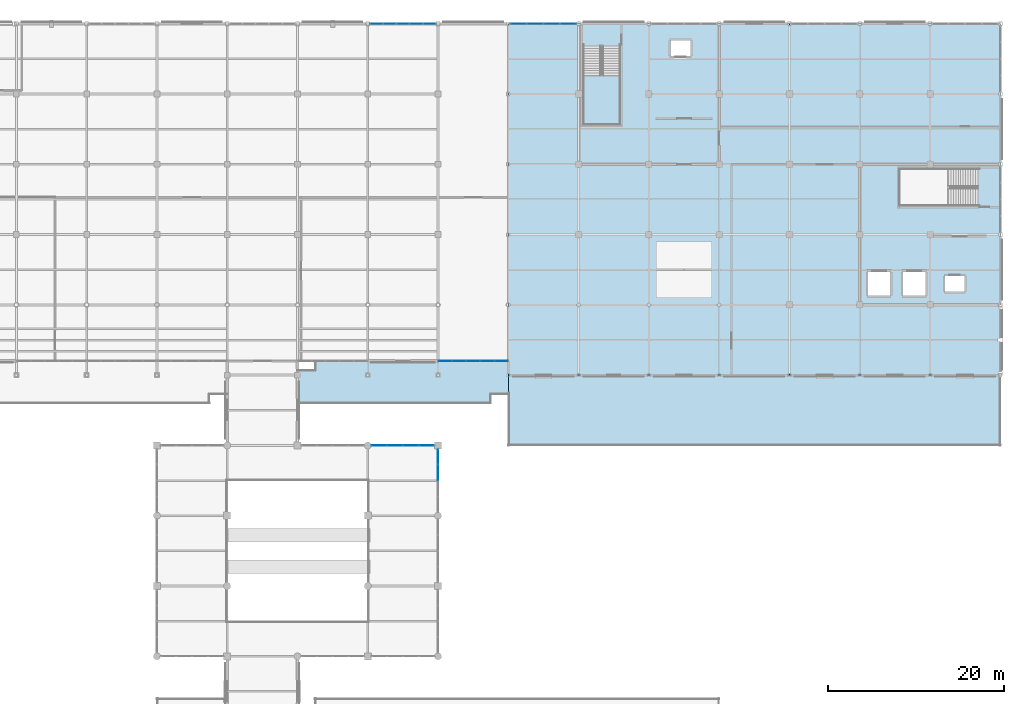
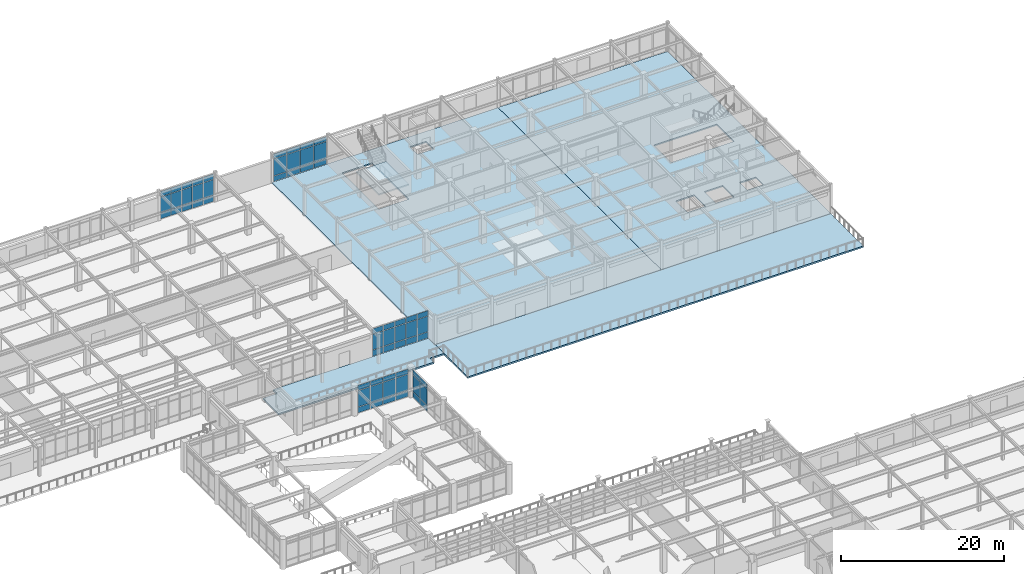
# One storey, part 79 of 111: 60 plates, 5 slabs, 6 elements without a shape of their own.
"""IFC4 building model written with IfcOpenShell, lengths in metres."""

from ifc_helpers import new_model, si_unit, direction, frame, origin, origin_2d, place, context, subcontext, project, spatial, polyline, rectangle, outline, extrude, material, layer, layer_set, type_object, element, aggregate, save


model = new_model("IFC4")

# Units and contexts
model_context = context("Model", 3, precision=1e-05, world=origin(), true_north=direction((0.0, 1.0)))
body_context = subcontext(model_context, "Body", "Model", "MODEL_VIEW")
ifc_project = project(units=[si_unit("LENGTHUNIT", "METRE"), si_unit("AREAUNIT", "SQUARE_METRE"), si_unit("VOLUMEUNIT", "CUBIC_METRE"), si_unit("PLANEANGLEUNIT", "RADIAN"), si_unit("MASSUNIT", "GRAM", prefix="KILO")], contexts=[model_context])

# Site, building, storey
site_placement = place(None, origin())
site = spatial("IfcSite", under=ifc_project, at=site_placement, CompositionType="ELEMENT")
building_placement = place(site_placement, origin())
building = spatial("IfcBuilding", under=site, at=building_placement, Name="Solmirada Galleria", CompositionType="ELEMENT")
storey_placement = place(building_placement, frame((0.0, 0.0, 10.39990234375)))
storey = spatial("IfcBuildingStorey", under=building, at=storey_placement, Name="L02", CompositionType="ELEMENT", Elevation=10.39990234375)

# Curtain wall, plates
ifc_material_1 = material(Name="Impact-resistant low-E double glazing", Category="glass")
curtain_wall_type_1 = type_object("IfcCurtainWallType", Name="CW-FZ3-L02-B4-L072", PredefinedType="NOTDEFINED", material=ifc_material_1)
curtain_wall_1_placement = place(storey_placement, origin())
curtain_wall_1 = element("IfcCurtainWall", 1, at=curtain_wall_1_placement, inside=storey, type_object=curtain_wall_type_1, Name="Terrace and arcade storefront CW-L02-105", PredefinedType="NOTDEFINED")
ifc_layer_1 = layer(ifc_material_1, 0.028076171875)
ifc_layer_set_1 = layer_set([ifc_layer_1], Name="Impact-resistant low-E double glazing")
plate_type_1 = type_object("IfcPlateType", Name="CW-PNL-CW21-T28", PredefinedType="CURTAIN_PANEL", material=ifc_layer_set_1)
plate_1_placement = place(storey_placement, frame((105.31787109375, 72.0, 0.06494140625), z_axis=(0.0, 0.0, 1.0), x_axis=(1.0, 0.0, 0.0)))
plate_1 = element("IfcPlate", 2, at=plate_1_placement, type_object=plate_type_1, Name="CW21 panel 1.1", PredefinedType="CURTAIN_PANEL", context=body_context, shape_type="SweptSolid", body=[
    extrude(rectangle(XDim=1.701416015625, YDim=0.028076171875, at=origin_2d()), origin(), (0.0, 0.0, 1.0), 0.822509765625),
])
plate_2_placement = place(storey_placement, frame((105.31787109375, 72.0, 0.95263671875), z_axis=(0.0, 0.0, 1.0), x_axis=(1.0, 0.0, 0.0)))
plate_2 = element("IfcPlate", 3, at=plate_2_placement, type_object=plate_type_1, Name="CW21 panel 1.2", PredefinedType="CURTAIN_PANEL", context=body_context, shape_type="SweptSolid", body=[
    extrude(rectangle(XDim=1.701416015625, YDim=0.028076171875, at=origin_2d()), origin(), (0.0, 0.0, 1.0), 2.4150390625),
])
plate_3_placement = place(storey_placement, frame((105.31787109375, 72.0, 3.4326171875), z_axis=(0.0, 0.0, 1.0), x_axis=(1.0, 0.0, 0.0)))
plate_3 = element("IfcPlate", 4, at=plate_3_placement, type_object=plate_type_1, Name="CW21 panel 1.3", PredefinedType="CURTAIN_PANEL", context=body_context, shape_type="SweptSolid", body=[
    extrude(rectangle(XDim=1.701416015625, YDim=0.028076171875, at=origin_2d()), origin(), (0.0, 0.0, 1.0), 0.722412109375),
])
plate_4_placement = place(storey_placement, frame((107.1005859375, 72.0, 0.06494140625), z_axis=(0.0, 0.0, 1.0), x_axis=(1.0, 0.0, 0.0)))
plate_4 = element("IfcPlate", 5, at=plate_4_placement, type_object=plate_type_1, Name="CW21 panel 2.1", PredefinedType="CURTAIN_PANEL", context=body_context, shape_type="SweptSolid", body=[
    extrude(rectangle(XDim=1.73388671875, YDim=0.028076171875, at=origin_2d()), origin(), (0.0, 0.0, 1.0), 0.822509765625),
])
plate_5_placement = place(storey_placement, frame((107.1005859375, 72.0, 0.95263671875), z_axis=(0.0, 0.0, 1.0), x_axis=(1.0, 0.0, 0.0)))
plate_5 = element("IfcPlate", 6, at=plate_5_placement, type_object=plate_type_1, Name="CW21 panel 2.2", PredefinedType="CURTAIN_PANEL", context=body_context, shape_type="SweptSolid", body=[
    extrude(rectangle(XDim=1.73388671875, YDim=0.028076171875, at=origin_2d()), origin(), (0.0, 0.0, 1.0), 2.4150390625),
])
plate_6_placement = place(storey_placement, frame((107.1005859375, 72.0, 3.4326171875), z_axis=(0.0, 0.0, 1.0), x_axis=(1.0, 0.0, 0.0)))
plate_6 = element("IfcPlate", 7, at=plate_6_placement, type_object=plate_type_1, Name="CW21 panel 2.3", PredefinedType="CURTAIN_PANEL", context=body_context, shape_type="SweptSolid", body=[
    extrude(rectangle(XDim=1.73388671875, YDim=0.028076171875, at=origin_2d()), origin(), (0.0, 0.0, 1.0), 0.722412109375),
])
plate_7_placement = place(storey_placement, frame((108.8994140625, 72.0, 0.06494140625), z_axis=(0.0, 0.0, 1.0), x_axis=(1.0, 0.0, 0.0)))
plate_7 = element("IfcPlate", 8, at=plate_7_placement, type_object=plate_type_1, Name="CW21 panel 3.1", PredefinedType="CURTAIN_PANEL", context=body_context, shape_type="SweptSolid", body=[
    extrude(rectangle(XDim=1.73388671875, YDim=0.028076171875, at=origin_2d()), origin(), (0.0, 0.0, 1.0), 0.822509765625),
])
plate_8_placement = place(storey_placement, frame((108.8994140625, 72.0, 0.95263671875), z_axis=(0.0, 0.0, 1.0), x_axis=(1.0, 0.0, 0.0)))
plate_8 = element("IfcPlate", 9, at=plate_8_placement, type_object=plate_type_1, Name="CW21 panel 3.2", PredefinedType="CURTAIN_PANEL", context=body_context, shape_type="SweptSolid", body=[
    extrude(rectangle(XDim=1.73388671875, YDim=0.028076171875, at=origin_2d()), origin(), (0.0, 0.0, 1.0), 2.4150390625),
])
plate_9_placement = place(storey_placement, frame((108.8994140625, 72.0, 3.4326171875), z_axis=(0.0, 0.0, 1.0), x_axis=(1.0, 0.0, 0.0)))
plate_9 = element("IfcPlate", 10, at=plate_9_placement, type_object=plate_type_1, Name="CW21 panel 3.3", PredefinedType="CURTAIN_PANEL", context=body_context, shape_type="SweptSolid", body=[
    extrude(rectangle(XDim=1.73388671875, YDim=0.028076171875, at=origin_2d()), origin(), (0.0, 0.0, 1.0), 0.722412109375),
])
plate_10_placement = place(storey_placement, frame((110.68212890625, 72.0, 0.06494140625), z_axis=(0.0, 0.0, 1.0), x_axis=(1.0, 0.0, 0.0)))
plate_10 = element("IfcPlate", 11, at=plate_10_placement, type_object=plate_type_1, Name="CW21 panel 4.1", PredefinedType="CURTAIN_PANEL", context=body_context, shape_type="SweptSolid", body=[
    extrude(rectangle(XDim=1.701416015625, YDim=0.028076171875, at=origin_2d()), origin(), (0.0, 0.0, 1.0), 0.822509765625),
])
plate_11_placement = place(storey_placement, frame((110.68212890625, 72.0, 0.95263671875), z_axis=(0.0, 0.0, 1.0), x_axis=(1.0, 0.0, 0.0)))
plate_11 = element("IfcPlate", 12, at=plate_11_placement, type_object=plate_type_1, Name="CW21 panel 4.2", PredefinedType="CURTAIN_PANEL", context=body_context, shape_type="SweptSolid", body=[
    extrude(rectangle(XDim=1.701416015625, YDim=0.028076171875, at=origin_2d()), origin(), (0.0, 0.0, 1.0), 2.4150390625),
])
plate_12_placement = place(storey_placement, frame((110.68212890625, 72.0, 3.4326171875), z_axis=(0.0, 0.0, 1.0), x_axis=(1.0, 0.0, 0.0)))
plate_12 = element("IfcPlate", 13, at=plate_12_placement, type_object=plate_type_1, Name="CW21 panel 4.3", PredefinedType="CURTAIN_PANEL", context=body_context, shape_type="SweptSolid", body=[
    extrude(rectangle(XDim=1.701416015625, YDim=0.028076171875, at=origin_2d()), origin(), (0.0, 0.0, 1.0), 0.722412109375),
])
aggregate(curtain_wall_1, [plate_1, plate_2, plate_3, plate_4, plate_5, plate_6, plate_7, plate_8, plate_9, plate_10, plate_11, plate_12])

curtain_wall_2_placement = place(storey_placement, origin())
curtain_wall_2 = element("IfcCurtainWall", 14, at=curtain_wall_2_placement, inside=storey, type_object=curtain_wall_type_1, Name="Terrace and arcade storefront CW-L02-106", PredefinedType="NOTDEFINED")
plate_13_placement = place(storey_placement, frame((112.0, 70.68212890625, 0.06494140625), z_axis=(0.0, 0.0, 1.0), x_axis=(0.0, -1.0, 0.0)))
plate_13 = element("IfcPlate", 15, at=plate_13_placement, type_object=plate_type_1, Name="CW21 panel 1.1", PredefinedType="CURTAIN_PANEL", context=body_context, shape_type="SweptSolid", body=[
    extrude(rectangle(XDim=1.701416015625, YDim=0.028076171875, at=origin_2d()), origin(), (0.0, 0.0, 1.0), 0.822509765625),
])
plate_14_placement = place(storey_placement, frame((112.0, 70.68212890625, 0.95263671875), z_axis=(0.0, 0.0, 1.0), x_axis=(0.0, -1.0, 0.0)))
plate_14 = element("IfcPlate", 16, at=plate_14_placement, type_object=plate_type_1, Name="CW21 panel 1.2", PredefinedType="CURTAIN_PANEL", context=body_context, shape_type="SweptSolid", body=[
    extrude(rectangle(XDim=1.701416015625, YDim=0.028076171875, at=origin_2d()), origin(), (0.0, 0.0, 1.0), 2.4150390625),
])
plate_15_placement = place(storey_placement, frame((112.0, 70.68212890625, 3.4326171875), z_axis=(0.0, 0.0, 1.0), x_axis=(0.0, -1.0, 0.0)))
plate_15 = element("IfcPlate", 17, at=plate_15_placement, type_object=plate_type_1, Name="CW21 panel 1.3", PredefinedType="CURTAIN_PANEL", context=body_context, shape_type="SweptSolid", body=[
    extrude(rectangle(XDim=1.701416015625, YDim=0.028076171875, at=origin_2d()), origin(), (0.0, 0.0, 1.0), 0.722412109375),
])
plate_16_placement = place(storey_placement, frame((112.0, 68.8994140625, 0.06494140625), z_axis=(0.0, 0.0, 1.0), x_axis=(0.0, -1.0, 0.0)))
plate_16 = element("IfcPlate", 18, at=plate_16_placement, type_object=plate_type_1, Name="CW21 panel 2.1", PredefinedType="CURTAIN_PANEL", context=body_context, shape_type="SweptSolid", body=[
    extrude(rectangle(XDim=1.73388671875, YDim=0.028076171875, at=origin_2d()), origin(), (0.0, 0.0, 1.0), 0.822509765625),
])
plate_17_placement = place(storey_placement, frame((112.0, 68.8994140625, 0.95263671875), z_axis=(0.0, 0.0, 1.0), x_axis=(0.0, -1.0, 0.0)))
plate_17 = element("IfcPlate", 19, at=plate_17_placement, type_object=plate_type_1, Name="CW21 panel 2.2", PredefinedType="CURTAIN_PANEL", context=body_context, shape_type="SweptSolid", body=[
    extrude(rectangle(XDim=1.73388671875, YDim=0.028076171875, at=origin_2d()), origin(), (0.0, 0.0, 1.0), 2.4150390625),
])
plate_18_placement = place(storey_placement, frame((112.0, 68.8994140625, 3.4326171875), z_axis=(0.0, 0.0, 1.0), x_axis=(0.0, -1.0, 0.0)))
plate_18 = element("IfcPlate", 20, at=plate_18_placement, type_object=plate_type_1, Name="CW21 panel 2.3", PredefinedType="CURTAIN_PANEL", context=body_context, shape_type="SweptSolid", body=[
    extrude(rectangle(XDim=1.73388671875, YDim=0.028076171875, at=origin_2d()), origin(), (0.0, 0.0, 1.0), 0.722412109375),
])
aggregate(curtain_wall_2, [plate_13, plate_14, plate_15, plate_16, plate_17, plate_18])

curtain_wall_type_2 = type_object("IfcCurtainWallType", Name="CW-FZ4-L02-B5-L080", PredefinedType="NOTDEFINED", material=ifc_material_1)
curtain_wall_3_placement = place(storey_placement, origin())
curtain_wall_3 = element("IfcCurtainWall", 21, at=curtain_wall_3_placement, inside=storey, type_object=curtain_wall_type_2, Name="Terrace and arcade storefront CW-L02-102", PredefinedType="NOTDEFINED")
ifc_material_2 = material(Name="Ceramic-fritted spandrel glass", Category="glass")
ifc_layer_2 = layer(ifc_material_2, 0.035888671875)
ifc_layer_set_2 = layer_set([ifc_layer_2], Name="Ceramic-fritted spandrel glass")
plate_type_2 = type_object("IfcPlateType", Name="CW-PNL-CW22-T36", PredefinedType="CURTAIN_PANEL", material=ifc_layer_set_2)
plate_19_placement = place(storey_placement, frame((119.183837890625, 81.60009765625, 0.06494140625), z_axis=(0.0, 0.0, 1.0), x_axis=(-1.0, 0.0, 0.0)))
plate_19 = element("IfcPlate", 22, at=plate_19_placement, type_object=plate_type_2, Name="CW22 panel 1.1", PredefinedType="CURTAIN_PANEL", context=body_context, shape_type="SweptSolid", body=[
    extrude(rectangle(XDim=1.50244140625, YDim=0.035888671875, at=origin_2d()), origin(), (0.0, 0.0, 1.0), 0.882568359375),
])
plate_20_placement = place(storey_placement, frame((119.183837890625, 81.60009765625, 1.0126953125), z_axis=(0.0, 0.0, 1.0), x_axis=(-1.0, 0.0, 0.0)))
plate_20 = element("IfcPlate", 23, at=plate_20_placement, type_object=plate_type_2, Name="CW22 panel 1.2", PredefinedType="CURTAIN_PANEL", context=body_context, shape_type="SweptSolid", body=[
    extrude(rectangle(XDim=1.50244140625, YDim=0.035888671875, at=origin_2d()), origin(), (0.0, 0.0, 1.0), 2.304931640625),
])
plate_21_placement = place(storey_placement, frame((119.183837890625, 81.60009765625, 3.382568359375), z_axis=(0.0, 0.0, 1.0), x_axis=(-1.0, 0.0, 0.0)))
plate_21 = element("IfcPlate", 24, at=plate_21_placement, type_object=plate_type_2, Name="CW22 panel 1.3", PredefinedType="CURTAIN_PANEL", context=body_context, shape_type="SweptSolid", body=[
    extrude(rectangle(XDim=1.50244140625, YDim=0.035888671875, at=origin_2d()), origin(), (0.0, 0.0, 1.0), 0.7724609375),
])
plate_22_placement = place(storey_placement, frame((117.60009765625, 81.60009765625, 0.06494140625), z_axis=(0.0, 0.0, 1.0), x_axis=(-1.0, 0.0, 0.0)))
plate_22 = element("IfcPlate", 25, at=plate_22_placement, type_object=plate_type_2, Name="CW22 panel 2.1", PredefinedType="CURTAIN_PANEL", context=body_context, shape_type="SweptSolid", body=[
    extrude(rectangle(XDim=1.534912109375, YDim=0.035888671875, at=origin_2d()), origin(), (0.0, 0.0, 1.0), 0.882568359375),
])
plate_23_placement = place(storey_placement, frame((117.60009765625, 81.60009765625, 1.0126953125), z_axis=(0.0, 0.0, 1.0), x_axis=(-1.0, 0.0, 0.0)))
plate_23 = element("IfcPlate", 26, at=plate_23_placement, type_object=plate_type_2, Name="CW22 panel 2.2", PredefinedType="CURTAIN_PANEL", context=body_context, shape_type="SweptSolid", body=[
    extrude(rectangle(XDim=1.534912109375, YDim=0.035888671875, at=origin_2d()), origin(), (0.0, 0.0, 1.0), 2.304931640625),
])
plate_24_placement = place(storey_placement, frame((117.60009765625, 81.60009765625, 3.382568359375), z_axis=(0.0, 0.0, 1.0), x_axis=(-1.0, 0.0, 0.0)))
plate_24 = element("IfcPlate", 27, at=plate_24_placement, type_object=plate_type_2, Name="CW22 panel 2.3", PredefinedType="CURTAIN_PANEL", context=body_context, shape_type="SweptSolid", body=[
    extrude(rectangle(XDim=1.534912109375, YDim=0.035888671875, at=origin_2d()), origin(), (0.0, 0.0, 1.0), 0.7724609375),
])
plate_25_placement = place(storey_placement, frame((116.0, 81.60009765625, 0.06494140625), z_axis=(0.0, 0.0, 1.0), x_axis=(-1.0, 0.0, 0.0)))
plate_25 = element("IfcPlate", 28, at=plate_25_placement, type_object=plate_type_2, Name="CW22 panel 3.1", PredefinedType="CURTAIN_PANEL", context=body_context, shape_type="SweptSolid", body=[
    extrude(rectangle(XDim=1.534912109375, YDim=0.035888671875, at=origin_2d()), origin(), (0.0, 0.0, 1.0), 0.882568359375),
])
plate_26_placement = place(storey_placement, frame((116.0, 81.60009765625, 1.0126953125), z_axis=(0.0, 0.0, 1.0), x_axis=(-1.0, 0.0, 0.0)))
plate_26 = element("IfcPlate", 29, at=plate_26_placement, type_object=plate_type_2, Name="CW22 panel 3.2", PredefinedType="CURTAIN_PANEL", context=body_context, shape_type="SweptSolid", body=[
    extrude(rectangle(XDim=1.534912109375, YDim=0.035888671875, at=origin_2d()), origin(), (0.0, 0.0, 1.0), 2.304931640625),
])
plate_27_placement = place(storey_placement, frame((116.0, 81.60009765625, 3.382568359375), z_axis=(0.0, 0.0, 1.0), x_axis=(-1.0, 0.0, 0.0)))
plate_27 = element("IfcPlate", 30, at=plate_27_placement, type_object=plate_type_2, Name="CW22 panel 3.3", PredefinedType="CURTAIN_PANEL", context=body_context, shape_type="SweptSolid", body=[
    extrude(rectangle(XDim=1.534912109375, YDim=0.035888671875, at=origin_2d()), origin(), (0.0, 0.0, 1.0), 0.7724609375),
])
plate_28_placement = place(storey_placement, frame((114.39990234375, 81.60009765625, 0.06494140625), z_axis=(0.0, 0.0, 1.0), x_axis=(-1.0, 0.0, 0.0)))
plate_28 = element("IfcPlate", 31, at=plate_28_placement, type_object=plate_type_2, Name="CW22 panel 4.1", PredefinedType="CURTAIN_PANEL", context=body_context, shape_type="SweptSolid", body=[
    extrude(rectangle(XDim=1.534912109375, YDim=0.035888671875, at=origin_2d()), origin(), (0.0, 0.0, 1.0), 0.882568359375),
])
plate_29_placement = place(storey_placement, frame((114.39990234375, 81.60009765625, 1.0126953125), z_axis=(0.0, 0.0, 1.0), x_axis=(-1.0, 0.0, 0.0)))
plate_29 = element("IfcPlate", 32, at=plate_29_placement, type_object=plate_type_2, Name="CW22 panel 4.2", PredefinedType="CURTAIN_PANEL", context=body_context, shape_type="SweptSolid", body=[
    extrude(rectangle(XDim=1.534912109375, YDim=0.035888671875, at=origin_2d()), origin(), (0.0, 0.0, 1.0), 2.304931640625),
])
plate_30_placement = place(storey_placement, frame((114.39990234375, 81.60009765625, 3.382568359375), z_axis=(0.0, 0.0, 1.0), x_axis=(-1.0, 0.0, 0.0)))
plate_30 = element("IfcPlate", 33, at=plate_30_placement, type_object=plate_type_2, Name="CW22 panel 4.3", PredefinedType="CURTAIN_PANEL", context=body_context, shape_type="SweptSolid", body=[
    extrude(rectangle(XDim=1.534912109375, YDim=0.035888671875, at=origin_2d()), origin(), (0.0, 0.0, 1.0), 0.7724609375),
])
plate_31_placement = place(storey_placement, frame((112.816162109375, 81.60009765625, 0.06494140625), z_axis=(0.0, 0.0, 1.0), x_axis=(-1.0, 0.0, 0.0)))
plate_31 = element("IfcPlate", 34, at=plate_31_placement, type_object=plate_type_2, Name="CW22 panel 5.1", PredefinedType="CURTAIN_PANEL", context=body_context, shape_type="SweptSolid", body=[
    extrude(rectangle(XDim=1.50244140625, YDim=0.035888671875, at=origin_2d()), origin(), (0.0, 0.0, 1.0), 0.882568359375),
])
plate_32_placement = place(storey_placement, frame((112.816162109375, 81.60009765625, 1.0126953125), z_axis=(0.0, 0.0, 1.0), x_axis=(-1.0, 0.0, 0.0)))
plate_32 = element("IfcPlate", 35, at=plate_32_placement, type_object=plate_type_2, Name="CW22 panel 5.2", PredefinedType="CURTAIN_PANEL", context=body_context, shape_type="SweptSolid", body=[
    extrude(rectangle(XDim=1.50244140625, YDim=0.035888671875, at=origin_2d()), origin(), (0.0, 0.0, 1.0), 2.304931640625),
])
plate_33_placement = place(storey_placement, frame((112.816162109375, 81.60009765625, 3.382568359375), z_axis=(0.0, 0.0, 1.0), x_axis=(-1.0, 0.0, 0.0)))
plate_33 = element("IfcPlate", 36, at=plate_33_placement, type_object=plate_type_2, Name="CW22 panel 5.3", PredefinedType="CURTAIN_PANEL", context=body_context, shape_type="SweptSolid", body=[
    extrude(rectangle(XDim=1.50244140625, YDim=0.035888671875, at=origin_2d()), origin(), (0.0, 0.0, 1.0), 0.7724609375),
])
aggregate(curtain_wall_3, [plate_19, plate_20, plate_21, plate_22, plate_23, plate_24, plate_25, plate_26, plate_27, plate_28, plate_29, plate_30, plate_31, plate_32, plate_33])

curtain_wall_type_3 = type_object("IfcCurtainWallType", Name="CW-FZ4-L02-B5-L076", PredefinedType="NOTDEFINED", material=ifc_material_1)
curtain_wall_4_placement = place(storey_placement, origin())
curtain_wall_4 = element("IfcCurtainWall", 37, at=curtain_wall_4_placement, inside=storey, type_object=curtain_wall_type_3, Name="Terrace and arcade storefront CW-L02-095", PredefinedType="NOTDEFINED")
ifc_layer_3 = layer(ifc_material_2, 0.0419921875)
ifc_layer_set_3 = layer_set([ifc_layer_3], Name="Ceramic-fritted spandrel glass")
plate_type_3 = type_object("IfcPlateType", Name="CW-PNL-CW23-T42", PredefinedType="CURTAIN_PANEL", material=ifc_layer_set_3)
plate_34_placement = place(storey_placement, frame((104.980224609375, 120.0, 0.06494140625), z_axis=(0.0, 0.0, 1.0), x_axis=(1.0, 0.0, 0.0)))
plate_34 = element("IfcPlate", 38, at=plate_34_placement, type_object=plate_type_3, Name="CW23 panel 1.1", PredefinedType="CURTAIN_PANEL", context=body_context, shape_type="SweptSolid", body=[
    extrude(rectangle(XDim=1.42041015625, YDim=0.0419921875, at=origin_2d()), origin(), (0.0, 0.0, 1.0), 0.882568359375),
])
plate_35_placement = place(storey_placement, frame((104.980224609375, 120.0, 1.0126953125), z_axis=(0.0, 0.0, 1.0), x_axis=(1.0, 0.0, 0.0)))
plate_35 = element("IfcPlate", 39, at=plate_35_placement, type_object=plate_type_3, Name="CW23 panel 1.2", PredefinedType="CURTAIN_PANEL", context=body_context, shape_type="SweptSolid", body=[
    extrude(rectangle(XDim=1.42041015625, YDim=0.0419921875, at=origin_2d()), origin(), (0.0, 0.0, 1.0), 2.304931640625),
])
plate_36_placement = place(storey_placement, frame((104.980224609375, 120.0, 3.382568359375), z_axis=(0.0, 0.0, 1.0), x_axis=(1.0, 0.0, 0.0)))
plate_36 = element("IfcPlate", 40, at=plate_36_placement, type_object=plate_type_3, Name="CW23 panel 1.3", PredefinedType="CURTAIN_PANEL", context=body_context, shape_type="SweptSolid", body=[
    extrude(rectangle(XDim=1.42041015625, YDim=0.0419921875, at=origin_2d()), origin(), (0.0, 0.0, 1.0), 0.7724609375),
])
plate_37_placement = place(storey_placement, frame((106.48193359375, 120.0, 0.06494140625), z_axis=(0.0, 0.0, 1.0), x_axis=(1.0, 0.0, 0.0)))
plate_37 = element("IfcPlate", 41, at=plate_37_placement, type_object=plate_type_3, Name="CW23 panel 2.1", PredefinedType="CURTAIN_PANEL", context=body_context, shape_type="SweptSolid", body=[
    extrude(rectangle(XDim=1.452880859375, YDim=0.0419921875, at=origin_2d()), origin(), (0.0, 0.0, 1.0), 0.882568359375),
])
plate_38_placement = place(storey_placement, frame((106.48193359375, 120.0, 1.0126953125), z_axis=(0.0, 0.0, 1.0), x_axis=(1.0, 0.0, 0.0)))
plate_38 = element("IfcPlate", 42, at=plate_38_placement, type_object=plate_type_3, Name="CW23 panel 2.2", PredefinedType="CURTAIN_PANEL", context=body_context, shape_type="SweptSolid", body=[
    extrude(rectangle(XDim=1.452880859375, YDim=0.0419921875, at=origin_2d()), origin(), (0.0, 0.0, 1.0), 2.304931640625),
])
plate_39_placement = place(storey_placement, frame((106.48193359375, 120.0, 3.382568359375), z_axis=(0.0, 0.0, 1.0), x_axis=(1.0, 0.0, 0.0)))
plate_39 = element("IfcPlate", 43, at=plate_39_placement, type_object=plate_type_3, Name="CW23 panel 2.3", PredefinedType="CURTAIN_PANEL", context=body_context, shape_type="SweptSolid", body=[
    extrude(rectangle(XDim=1.452880859375, YDim=0.0419921875, at=origin_2d()), origin(), (0.0, 0.0, 1.0), 0.7724609375),
])
plate_40_placement = place(storey_placement, frame((108.0, 120.0, 0.06494140625), z_axis=(0.0, 0.0, 1.0), x_axis=(1.0, 0.0, 0.0)))
plate_40 = element("IfcPlate", 44, at=plate_40_placement, type_object=plate_type_3, Name="CW23 panel 3.1", PredefinedType="CURTAIN_PANEL", context=body_context, shape_type="SweptSolid", body=[
    extrude(rectangle(XDim=1.452880859375, YDim=0.0419921875, at=origin_2d()), origin(), (0.0, 0.0, 1.0), 0.882568359375),
])
plate_41_placement = place(storey_placement, frame((108.0, 120.0, 1.0126953125), z_axis=(0.0, 0.0, 1.0), x_axis=(1.0, 0.0, 0.0)))
plate_41 = element("IfcPlate", 45, at=plate_41_placement, type_object=plate_type_3, Name="CW23 panel 3.2", PredefinedType="CURTAIN_PANEL", context=body_context, shape_type="SweptSolid", body=[
    extrude(rectangle(XDim=1.452880859375, YDim=0.0419921875, at=origin_2d()), origin(), (0.0, 0.0, 1.0), 2.304931640625),
])
plate_42_placement = place(storey_placement, frame((108.0, 120.0, 3.382568359375), z_axis=(0.0, 0.0, 1.0), x_axis=(1.0, 0.0, 0.0)))
plate_42 = element("IfcPlate", 46, at=plate_42_placement, type_object=plate_type_3, Name="CW23 panel 3.3", PredefinedType="CURTAIN_PANEL", context=body_context, shape_type="SweptSolid", body=[
    extrude(rectangle(XDim=1.452880859375, YDim=0.0419921875, at=origin_2d()), origin(), (0.0, 0.0, 1.0), 0.7724609375),
])
plate_43_placement = place(storey_placement, frame((109.51806640625, 120.0, 0.06494140625), z_axis=(0.0, 0.0, 1.0), x_axis=(1.0, 0.0, 0.0)))
plate_43 = element("IfcPlate", 47, at=plate_43_placement, type_object=plate_type_3, Name="CW23 panel 4.1", PredefinedType="CURTAIN_PANEL", context=body_context, shape_type="SweptSolid", body=[
    extrude(rectangle(XDim=1.452880859375, YDim=0.0419921875, at=origin_2d()), origin(), (0.0, 0.0, 1.0), 0.882568359375),
])
plate_44_placement = place(storey_placement, frame((109.51806640625, 120.0, 1.0126953125), z_axis=(0.0, 0.0, 1.0), x_axis=(1.0, 0.0, 0.0)))
plate_44 = element("IfcPlate", 48, at=plate_44_placement, type_object=plate_type_3, Name="CW23 panel 4.2", PredefinedType="CURTAIN_PANEL", context=body_context, shape_type="SweptSolid", body=[
    extrude(rectangle(XDim=1.452880859375, YDim=0.0419921875, at=origin_2d()), origin(), (0.0, 0.0, 1.0), 2.304931640625),
])
plate_45_placement = place(storey_placement, frame((109.51806640625, 120.0, 3.382568359375), z_axis=(0.0, 0.0, 1.0), x_axis=(1.0, 0.0, 0.0)))
plate_45 = element("IfcPlate", 49, at=plate_45_placement, type_object=plate_type_3, Name="CW23 panel 4.3", PredefinedType="CURTAIN_PANEL", context=body_context, shape_type="SweptSolid", body=[
    extrude(rectangle(XDim=1.452880859375, YDim=0.0419921875, at=origin_2d()), origin(), (0.0, 0.0, 1.0), 0.7724609375),
])
plate_46_placement = place(storey_placement, frame((111.019775390625, 120.0, 0.06494140625), z_axis=(0.0, 0.0, 1.0), x_axis=(1.0, 0.0, 0.0)))
plate_46 = element("IfcPlate", 50, at=plate_46_placement, type_object=plate_type_3, Name="CW23 panel 5.1", PredefinedType="CURTAIN_PANEL", context=body_context, shape_type="SweptSolid", body=[
    extrude(rectangle(XDim=1.42041015625, YDim=0.0419921875, at=origin_2d()), origin(), (0.0, 0.0, 1.0), 0.882568359375),
])
plate_47_placement = place(storey_placement, frame((111.019775390625, 120.0, 1.0126953125), z_axis=(0.0, 0.0, 1.0), x_axis=(1.0, 0.0, 0.0)))
plate_47 = element("IfcPlate", 51, at=plate_47_placement, type_object=plate_type_3, Name="CW23 panel 5.2", PredefinedType="CURTAIN_PANEL", context=body_context, shape_type="SweptSolid", body=[
    extrude(rectangle(XDim=1.42041015625, YDim=0.0419921875, at=origin_2d()), origin(), (0.0, 0.0, 1.0), 2.304931640625),
])
plate_48_placement = place(storey_placement, frame((111.019775390625, 120.0, 3.382568359375), z_axis=(0.0, 0.0, 1.0), x_axis=(1.0, 0.0, 0.0)))
plate_48 = element("IfcPlate", 52, at=plate_48_placement, type_object=plate_type_3, Name="CW23 panel 5.3", PredefinedType="CURTAIN_PANEL", context=body_context, shape_type="SweptSolid", body=[
    extrude(rectangle(XDim=1.42041015625, YDim=0.0419921875, at=origin_2d()), origin(), (0.0, 0.0, 1.0), 0.7724609375),
])
aggregate(curtain_wall_4, [plate_34, plate_35, plate_36, plate_37, plate_38, plate_39, plate_40, plate_41, plate_42, plate_43, plate_44, plate_45, plate_46, plate_47, plate_48])

curtain_wall_type_4 = type_object("IfcCurtainWallType", Name="CW-FZ2-L02-B4-L076", PredefinedType="NOTDEFINED", material=ifc_material_1)
curtain_wall_5_placement = place(storey_placement, origin())
curtain_wall_5 = element("IfcCurtainWall", 53, at=curtain_wall_5_placement, inside=storey, type_object=curtain_wall_type_4, Name="Terrace and arcade storefront CW-L02-096", PredefinedType="NOTDEFINED")
ifc_layer_4 = layer(ifc_material_1, 0.0419921875)
ifc_layer_set_4 = layer_set([ifc_layer_4], Name="Impact-resistant low-E double glazing")
plate_type_4 = type_object("IfcPlateType", Name="CW-PNL-CW24-T42", PredefinedType="CURTAIN_PANEL", material=ifc_layer_set_4)
plate_49_placement = place(storey_placement, frame((121.148193359375, 120.0, 0.06494140625), z_axis=(0.0, 0.0, 1.0), x_axis=(1.0, 0.0, 0.0)))
plate_49 = element("IfcPlate", 54, at=plate_49_placement, type_object=plate_type_4, Name="CW24 panel 1.1", PredefinedType="CURTAIN_PANEL", context=body_context, shape_type="SweptSolid", body=[
    extrude(rectangle(XDim=1.80615234375, YDim=0.0419921875, at=origin_2d()), origin(), (0.0, 0.0, 1.0), 0.762451171875),
])
plate_50_placement = place(storey_placement, frame((121.148193359375, 120.0, 0.892578125), z_axis=(0.0, 0.0, 1.0), x_axis=(1.0, 0.0, 0.0)))
plate_50 = element("IfcPlate", 55, at=plate_50_placement, type_object=plate_type_4, Name="CW24 panel 1.2", PredefinedType="CURTAIN_PANEL", context=body_context, shape_type="SweptSolid", body=[
    extrude(rectangle(XDim=1.80615234375, YDim=0.0419921875, at=origin_2d()), origin(), (0.0, 0.0, 1.0), 2.52490234375),
])
plate_51_placement = place(storey_placement, frame((121.148193359375, 120.0, 3.482421875), z_axis=(0.0, 0.0, 1.0), x_axis=(1.0, 0.0, 0.0)))
plate_51 = element("IfcPlate", 56, at=plate_51_placement, type_object=plate_type_4, Name="CW24 panel 1.3", PredefinedType="CURTAIN_PANEL", context=body_context, shape_type="SweptSolid", body=[
    extrude(rectangle(XDim=1.80615234375, YDim=0.0419921875, at=origin_2d()), origin(), (0.0, 0.0, 1.0), 0.672607421875),
])
plate_52_placement = place(storey_placement, frame((123.03564453125, 120.0, 0.06494140625), z_axis=(0.0, 0.0, 1.0), x_axis=(1.0, 0.0, 0.0)))
plate_52 = element("IfcPlate", 57, at=plate_52_placement, type_object=plate_type_4, Name="CW24 panel 2.1", PredefinedType="CURTAIN_PANEL", context=body_context, shape_type="SweptSolid", body=[
    extrude(rectangle(XDim=1.8388671875, YDim=0.0419921875, at=origin_2d()), origin(), (0.0, 0.0, 1.0), 0.762451171875),
])
plate_53_placement = place(storey_placement, frame((123.03564453125, 120.0, 0.892578125), z_axis=(0.0, 0.0, 1.0), x_axis=(1.0, 0.0, 0.0)))
plate_53 = element("IfcPlate", 58, at=plate_53_placement, type_object=plate_type_4, Name="CW24 panel 2.2", PredefinedType="CURTAIN_PANEL", context=body_context, shape_type="SweptSolid", body=[
    extrude(rectangle(XDim=1.8388671875, YDim=0.0419921875, at=origin_2d()), origin(), (0.0, 0.0, 1.0), 2.52490234375),
])
plate_54_placement = place(storey_placement, frame((123.03564453125, 120.0, 3.482421875), z_axis=(0.0, 0.0, 1.0), x_axis=(1.0, 0.0, 0.0)))
plate_54 = element("IfcPlate", 59, at=plate_54_placement, type_object=plate_type_4, Name="CW24 panel 2.3", PredefinedType="CURTAIN_PANEL", context=body_context, shape_type="SweptSolid", body=[
    extrude(rectangle(XDim=1.8388671875, YDim=0.0419921875, at=origin_2d()), origin(), (0.0, 0.0, 1.0), 0.672607421875),
])
plate_55_placement = place(storey_placement, frame((124.939453125, 120.0, 0.06494140625), z_axis=(0.0, 0.0, 1.0), x_axis=(1.0, 0.0, 0.0)))
plate_55 = element("IfcPlate", 60, at=plate_55_placement, type_object=plate_type_4, Name="CW24 panel 3.1", PredefinedType="CURTAIN_PANEL", context=body_context, shape_type="SweptSolid", body=[
    extrude(rectangle(XDim=1.8388671875, YDim=0.0419921875, at=origin_2d()), origin(), (0.0, 0.0, 1.0), 0.762451171875),
])
plate_56_placement = place(storey_placement, frame((124.939453125, 120.0, 0.892578125), z_axis=(0.0, 0.0, 1.0), x_axis=(1.0, 0.0, 0.0)))
plate_56 = element("IfcPlate", 61, at=plate_56_placement, type_object=plate_type_4, Name="CW24 panel 3.2", PredefinedType="CURTAIN_PANEL", context=body_context, shape_type="SweptSolid", body=[
    extrude(rectangle(XDim=1.8388671875, YDim=0.0419921875, at=origin_2d()), origin(), (0.0, 0.0, 1.0), 2.52490234375),
])
plate_57_placement = place(storey_placement, frame((124.939453125, 120.0, 3.482421875), z_axis=(0.0, 0.0, 1.0), x_axis=(1.0, 0.0, 0.0)))
plate_57 = element("IfcPlate", 62, at=plate_57_placement, type_object=plate_type_4, Name="CW24 panel 3.3", PredefinedType="CURTAIN_PANEL", context=body_context, shape_type="SweptSolid", body=[
    extrude(rectangle(XDim=1.8388671875, YDim=0.0419921875, at=origin_2d()), origin(), (0.0, 0.0, 1.0), 0.672607421875),
])
plate_58_placement = place(storey_placement, frame((126.826904296875, 120.0, 0.06494140625), z_axis=(0.0, 0.0, 1.0), x_axis=(1.0, 0.0, 0.0)))
plate_58 = element("IfcPlate", 63, at=plate_58_placement, type_object=plate_type_4, Name="CW24 panel 4.1", PredefinedType="CURTAIN_PANEL", context=body_context, shape_type="SweptSolid", body=[
    extrude(rectangle(XDim=1.80615234375, YDim=0.0419921875, at=origin_2d()), origin(), (0.0, 0.0, 1.0), 0.762451171875),
])
plate_59_placement = place(storey_placement, frame((126.826904296875, 120.0, 0.892578125), z_axis=(0.0, 0.0, 1.0), x_axis=(1.0, 0.0, 0.0)))
plate_59 = element("IfcPlate", 64, at=plate_59_placement, type_object=plate_type_4, Name="CW24 panel 4.2", PredefinedType="CURTAIN_PANEL", context=body_context, shape_type="SweptSolid", body=[
    extrude(rectangle(XDim=1.80615234375, YDim=0.0419921875, at=origin_2d()), origin(), (0.0, 0.0, 1.0), 2.52490234375),
])
plate_60_placement = place(storey_placement, frame((126.826904296875, 120.0, 3.482421875), z_axis=(0.0, 0.0, 1.0), x_axis=(1.0, 0.0, 0.0)))
plate_60 = element("IfcPlate", 65, at=plate_60_placement, type_object=plate_type_4, Name="CW24 panel 4.3", PredefinedType="CURTAIN_PANEL", context=body_context, shape_type="SweptSolid", body=[
    extrude(rectangle(XDim=1.80615234375, YDim=0.0419921875, at=origin_2d()), origin(), (0.0, 0.0, 1.0), 0.672607421875),
])
aggregate(curtain_wall_5, [plate_49, plate_50, plate_51, plate_52, plate_53, plate_54, plate_55, plate_56, plate_57, plate_58, plate_59, plate_60])

# Slabs
ifc_material_3 = material(Name="Concrete C35/45", Category="concrete")
ifc_layer_5 = layer(ifc_material_3, 0.199951171875)
ifc_layer_set_5 = layer_set([ifc_layer_5], Name="Concrete C35/45")
slab_type_1 = type_object("IfcSlabType", Name="SLB-FLOOR-200", PredefinedType="FLOOR", material=ifc_layer_set_5)
slab_1_placement = place(storey_placement, frame((0.0, 0.0, -0.199951171875)))
element("IfcSlab", 66, at=slab_1_placement, inside=storey, type_object=slab_type_1, Name="Slab L02-NE-W", PredefinedType="FLOOR", context=body_context, shape_type="SweptSolid", body=[
    extrude(outline(polyline([(120.0, 80.0), (152.0, 80.0), (152.0, 120.0), (120.0, 120.0), (120.0, 80.0)]), holes=[polyline([(128.5, 108.5), (132.75, 108.5), (132.75, 117.449951171875), (128.5, 117.449951171875), (128.5, 108.5)]), polyline([(138.449951171875, 116.27490234375), (140.75, 116.27490234375), (140.75, 118.125), (138.449951171875, 118.125), (138.449951171875, 116.27490234375)])]), origin(), (0.0, 0.0, 1.0), 0.199951171875),
])
slab_2_placement = place(storey_placement, frame((0.0, 0.0, -0.199951171875)))
element("IfcSlab", 67, at=slab_2_placement, inside=storey, type_object=slab_type_1, Name="Slab L02-NE-E", PredefinedType="FLOOR", context=body_context, shape_type="SweptSolid", body=[
    extrude(outline(polyline([(152.0, 80.0), (176.0, 80.0), (176.0, 120.0), (152.0, 120.0), (152.0, 80.0)]), holes=[polyline([(164.5, 99.25), (173.449951171875, 99.25), (173.449951171875, 103.5), (164.5, 103.5), (164.5, 99.25)]), polyline([(169.64990234375, 89.47509765625), (171.949951171875, 89.47509765625), (171.949951171875, 91.324951171875), (169.64990234375, 91.324951171875), (169.64990234375, 89.47509765625)]), polyline([(164.89990234375, 89.0), (167.5, 89.0), (167.5, 91.800048828125), (164.89990234375, 91.800048828125), (164.89990234375, 89.0)]), polyline([(160.89990234375, 89.0), (163.5, 89.0), (163.5, 91.800048828125), (160.89990234375, 91.800048828125), (160.89990234375, 89.0)])]), origin(), (0.0, 0.0, 1.0), 0.199951171875),
])

# Stair, slab
stair_type = type_object("IfcStairType", Name="STR-DOG-205-H45", PredefinedType="HALF_TURN_STAIR", material=ifc_material_3)
stair_placement = place(storey_placement, origin())
stair = element("IfcStair", 68, at=stair_placement, inside=storey, type_object=stair_type, Name="L02 North Avenue High-Rise Core Exit Stair ST3", PredefinedType="HALF_TURN_STAIR")
ifc_layer_6 = layer(ifc_material_3, 0.199951171875)
ifc_layer_set_6 = layer_set([ifc_layer_6], Name="Concrete C35/45")
slab_type_2 = type_object("IfcSlabType", Name="SLB-LAND-200", PredefinedType="LANDING", material=ifc_layer_set_6)
slab_3_placement = place(storey_placement, frame((0.0, 0.0, 2.050048828125)))
slab_3 = element("IfcSlab", 69, at=slab_3_placement, type_object=slab_type_2, Name="ST3 landing 1", PredefinedType="LANDING", context=body_context, shape_type="SweptSolid", body=[
    extrude(outline(polyline([(128.5, 114.090087890625), (128.5, 108.5), (132.75, 108.5), (132.75, 114.090087890625), (128.5, 114.090087890625)])), origin(), (0.0, 0.0, 1.0), 0.199951171875),
])
aggregate(stair, [slab_3])

# Slabs
ifc_layer_7 = layer(ifc_material_3, 0.239990234375)
ifc_layer_set_7 = layer_set([ifc_layer_7], Name="Concrete C35/45")
slab_type_3 = type_object("IfcSlabType", Name="SLB-TERR-240", PredefinedType="FLOOR", material=ifc_layer_set_7)
slab_4_placement = place(storey_placement, frame((0.0, 0.0, -0.239990234375)))
element("IfcSlab", 70, at=slab_4_placement, inside=storey, type_object=slab_type_3, Name="Slab L02-TERR-NE", PredefinedType="FLOOR", context=body_context, shape_type="SweptSolid", body=[
    extrude(outline(polyline([(96.0, 76.800048828125), (118.0, 76.800048828125), (118.0, 77.800048828125), (120.0, 77.800048828125), (120.0, 81.60009765625), (98.0, 81.60009765625), (98.0, 80.60009765625), (96.0, 80.60009765625), (96.0, 76.800048828125)])), origin(), (0.0, 0.0, 1.0), 0.239990234375),
])
slab_5_placement = place(storey_placement, frame((0.0, 0.0, -0.239990234375)))
element("IfcSlab", 71, at=slab_5_placement, inside=storey, type_object=slab_type_3, Name="Slab L02-TERR-WING", PredefinedType="FLOOR", context=body_context, shape_type="SweptSolid", body=[
    extrude(outline(polyline([(120.0, 72.0), (176.0, 72.0), (176.0, 80.0), (120.0, 80.0), (120.0, 72.0)])), origin(), (0.0, 0.0, 1.0), 0.239990234375),
])

save(model, "model.ifc")
